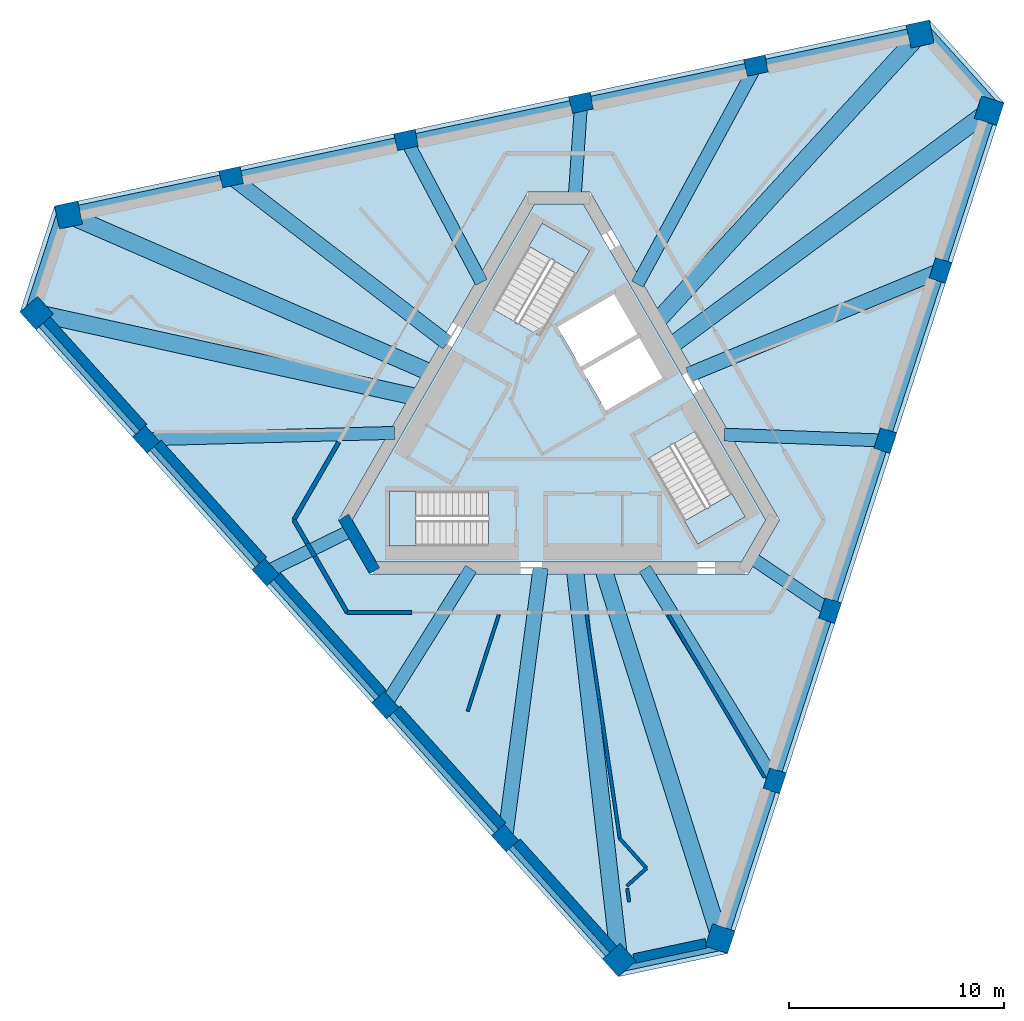
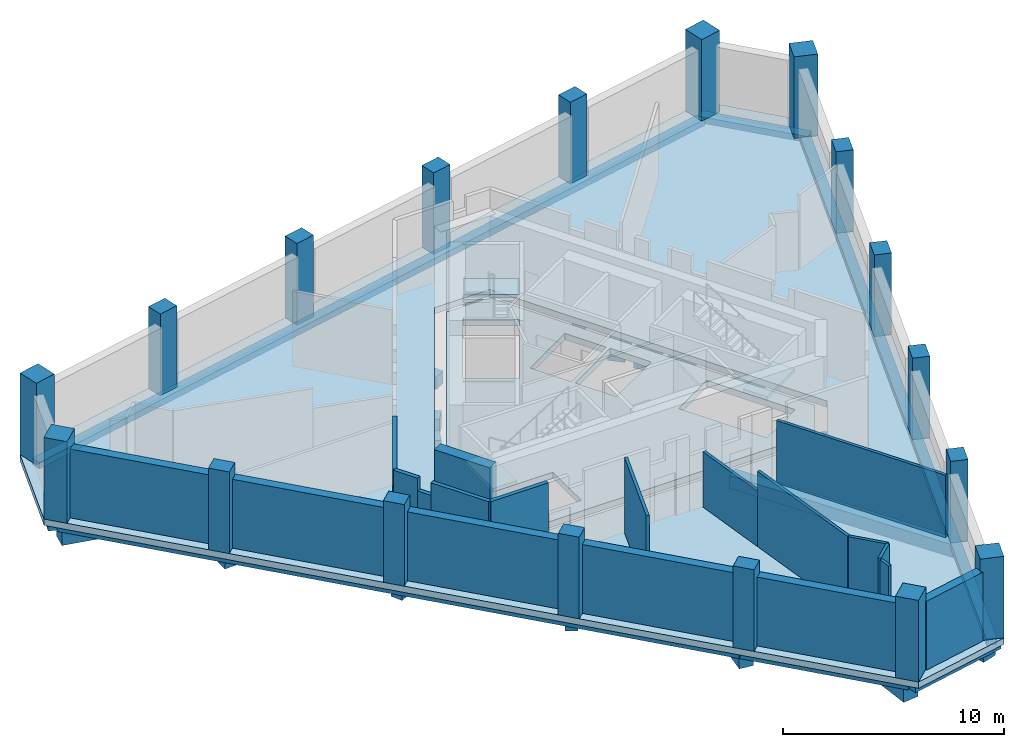
# One storey, part 1 of 5: 24 beams, 19 walls, 18 columns, 5 slabs, 3 elements without a shape of their own.
"""IFC4 building model written with IfcOpenShell, lengths in metres."""

from ifc_helpers import new_model, si_unit, direction, frame, frame_2d, origin, origin_2d, place, context, subcontext, project, spatial, polyline, rectangle, outline, extrude, material, layer, layer_set, material_profile, profile_set, type_object, element, aggregate, save


model = new_model("IFC4")

# Units and contexts
model_context = context("Model", 3, precision=1e-05, world=origin(), true_north=direction((0.0, 1.0)))
body_context = subcontext(model_context, "Body", "Model", "MODEL_VIEW")
ifc_project = project(units=[si_unit("LENGTHUNIT", "METRE"), si_unit("AREAUNIT", "SQUARE_METRE"), si_unit("VOLUMEUNIT", "CUBIC_METRE"), si_unit("PLANEANGLEUNIT", "RADIAN"), si_unit("MASSUNIT", "GRAM", prefix="KILO")], contexts=[model_context])

# Site, building, storey
site_placement = place(None, origin())
site = spatial("IfcSite", under=ifc_project, at=site_placement, CompositionType="ELEMENT")
building_placement = place(site_placement, origin())
building = spatial("IfcBuilding", under=site, at=building_placement, Name="Tramontana Tower", CompositionType="ELEMENT")
storey_placement = place(building_placement, frame((0.0, 0.0, 365.89990234375)))
storey = spatial("IfcBuildingStorey", under=building, at=storey_placement, Name="L84", CompositionType="ELEMENT", Elevation=365.89990234375)

# Columns
ifc_material_1 = material(Name="Concrete 55 MPa", Category="concrete")
ifc_material_profile_1 = material_profile(ifc_material_1, rectangle(XDim=1.10009765625, YDim=1.10009765625, at=origin_2d()), Name="Mega column 1100X1100 55 MPa")
ifc_profile_set_1 = profile_set([ifc_material_profile_1], Name="Concrete 55 MPa")
column_type_1 = type_object("IfcColumnType", Name="Mega column 1100X1100 55 MPa", PredefinedType="COLUMN", material=ifc_profile_set_1)
for number, where, z_axis, x_axis, name in (
    (1, (-24.278076171875, 5.368408203125, 0.0), (0.0, 0.0, 1.0), (0.669130606359, -0.743144825477, 0.0), "Mega column C8K1 L84"),
    (2, (2.80126953125, -24.706298828125, 0.0), (0.0, 0.0, 1.0), (0.669130606359, -0.743144825477, 0.0), "Mega column C8K2 L84"),
    (3, (7.489990234375, -23.70947265625, 0.0), (0.0, 0.0, 1.0), (0.309016994375, 0.951056516295, 0.0), "Mega column C8K3 L84"),
    (4, (19.99560546875, 14.779052734375, 0.0), (0.0, 0.0, 1.0), (0.309016994375, 0.951056516295, 0.0), "Mega column C8K4 L84"),
    (5, (16.7880859375, 18.34130859375, 0.0), (0.0, 0.0, 1.0), (-0.978147600734, -0.207911690818, 0.0), "Mega column C8K5 L84"),
    (6, (-22.796875, 9.92724609375, 0.0), (0.0, 0.0, 1.0), (-0.978147600734, -0.207911690818, 0.0), "Mega column C8K6 L84"),
):
    element("IfcColumn", number, at=place(storey_placement, frame(where, z_axis=z_axis, x_axis=x_axis)), inside=storey, type_object=column_type_1, Name=name, PredefinedType="COLUMN", context=body_context, shape_type="SweptSolid", body=[
        extrude(rectangle(XDim=1.10009765625, YDim=1.10009765625, at=origin_2d()), origin(), (0.0, 0.0, 1.0), 4.5),
    ])
ifc_material_2 = material(Name="Concrete 55 MPa", Category="concrete")
ifc_material_profile_2 = material_profile(ifc_material_2, rectangle(XDim=1.0, YDim=0.800048828125, at=origin_2d()), Name="Pier column 1000X800 55 MPa")
ifc_profile_set_2 = profile_set([ifc_material_profile_2], Name="Concrete 55 MPa")
column_type_2 = type_object("IfcColumnType", Name="Pier column 1000X800 55 MPa", PredefinedType="COLUMN", material=ifc_profile_set_2)
for number, where, z_axis, x_axis, name in (
    (7, (-19.194580078125, -0.501708984375, 0.0), (0.0, 0.0, 1.0), (0.669130606359, -0.743144825477, 0.0), "Pier column C8F01 L84"),
    (8, (-13.63134765625, -6.68017578125, 0.0), (0.0, 0.0, 1.0), (0.669130606359, -0.743144825477, 0.0), "Pier column C8F02 L84"),
    (9, (-8.068359375, -12.8583984375, 0.0), (0.0, 0.0, 1.0), (0.669130606359, -0.743144825477, 0.0), "Pier column C8F03 L84"),
    (10, (-2.50537109375, -19.036865234375, 0.0), (0.0, 0.0, 1.0), (0.669130606359, -0.743144825477, 0.0), "Pier column C8F04 L84"),
    (11, (10.03173828125, -16.3720703125, 0.0), (0.0, 0.0, 1.0), (0.309016994375, 0.951056516295, 0.0), "Pier column C8F05 L84"),
    (12, (12.600830078125, -8.465087890625, 0.0), (0.0, 0.0, 1.0), (0.309016994375, 0.951056516295, 0.0), "Pier column C8F06 L84"),
    (13, (15.169921875, -0.55810546875, 0.0), (0.0, 0.0, 1.0), (0.309016994375, 0.951056516295, 0.0), "Pier column C8F07 L84"),
    (14, (17.739013671875, 7.348876953125, 0.0), (0.0, 0.0, 1.0), (0.309016994375, 0.951056516295, 0.0), "Pier column C8F08 L84"),
    (15, (9.162841796875, 16.873779296875, 0.0), (0.0, 0.0, 1.0), (-0.978147600734, -0.207911690818, 0.0), "Pier column C8F09 L84"),
    (16, (1.030517578125, 15.145263671875, 0.0), (0.0, 0.0, 1.0), (-0.978147600734, -0.207911690818, 0.0), "Pier column C8F10 L84"),
    (17, (-7.1015625, 13.416748046875, 0.0), (0.0, 0.0, 1.0), (-0.978147600734, -0.207911690818, 0.0), "Pier column C8F11 L84"),
    (18, (-15.233642578125, 11.688232421875, 0.0), (0.0, 0.0, 1.0), (-0.978147600734, -0.207911690818, 0.0), "Pier column C8F12 L84"),
):
    element("IfcColumn", number, at=place(storey_placement, frame(where, z_axis=z_axis, x_axis=x_axis)), inside=storey, type_object=column_type_2, Name=name, PredefinedType="COLUMN", context=body_context, shape_type="SweptSolid", body=[
        extrude(rectangle(XDim=1.0, YDim=0.800048828125, at=origin_2d()), origin(), (0.0, 0.0, 1.0), 4.5),
    ])

# Beams
ifc_material_3 = material(Name="Concrete 40 MPa", Category="concrete")
ifc_material_profile_3 = material_profile(ifc_material_3, rectangle(XDim=0.5, YDim=0.35009765625, at=origin_2d()), Name="RC EDGE BEAM 500X350 40 MPa")
ifc_profile_set_3 = profile_set([ifc_material_profile_3], Name="Concrete 40 MPa")
beam_type_1 = type_object("IfcBeamType", Name="RC EDGE BEAM 500X350 40 MPa", PredefinedType="SPANDREL", material=ifc_profile_set_3)
for number, where, z_axis, x_axis, name in (
    (19, (-24.352294921875, 5.301513671875, -0.52490234375), (0.669126699639, -0.743148343086, 0.0), (0.743148343086, 0.669126699639, 0.0), "Spandrel beam S0 L84"),
    (20, (7.5849609375, -23.740478515625, -0.52490234375), (0.309021003975, 0.951055213488, 0.0), (-0.951055213488, 0.309021003975, 0.0), "Spandrel beam S1 L84"),
):
    element("IfcBeam", number, at=place(storey_placement, frame(where, z_axis=z_axis, x_axis=x_axis)), inside=storey, type_object=beam_type_1, Name=name, PredefinedType="SPANDREL", context=body_context, shape_type="SweptSolid", body=[
        extrude(rectangle(XDim=0.5, YDim=0.35009765625, at=origin_2d()), origin(), (0.0, 0.0, 1.0), 40.46923828125),
    ])
beam_1_placement = place(storey_placement, frame((16.767333984375, 18.439208984375, -0.52490234375), z_axis=(-0.978146276815, -0.20791791927, 0.0), x_axis=(0.20791791927, -0.978146276815, 0.0)))
element("IfcBeam", 21, at=beam_1_placement, inside=storey, type_object=beam_type_1, Name="Spandrel beam S2 L84", PredefinedType="SPANDREL", context=body_context, shape_type="SweptSolid", body=[
    extrude(rectangle(XDim=0.5, YDim=0.35009765625, at=origin_2d()), origin(), (0.0, 0.0, 1.0), 40.469482421875),
])
beam_2_placement = place(storey_placement, frame((-23.02099609375, 10.2119140625, -0.52490234375), z_axis=(-0.309015953557, -0.951056854477, 0.0), x_axis=(0.951056854477, -0.309015953557, 0.0)))
element("IfcBeam", 22, at=beam_2_placement, inside=storey, type_object=beam_type_1, Name="Spandrel beam K0 L84", PredefinedType="SPANDREL", context=body_context, shape_type="SweptSolid", body=[
    extrude(rectangle(XDim=0.5, YDim=0.35009765625, at=origin_2d()), origin(), (0.0, 0.0, 1.0), 5.1962890625),
])
for number, where, z_axis, x_axis, name in (
    (23, (2.6669921875, -25.042724609375, -0.52490234375), (0.97814762463, 0.207911578393, 0.0), (-0.207911578393, 0.97814762463, 0.0), "Spandrel beam K1 L84"),
    (24, (20.354248046875, 14.8310546875, -0.52490234375), (-0.66916199362, 0.74311656306, 0.0), (-0.74311656306, -0.66916199362, 0.0), "Spandrel beam K2 L84"),
):
    element("IfcBeam", number, at=place(storey_placement, frame(where, z_axis=z_axis, x_axis=x_axis)), inside=storey, type_object=beam_type_1, Name=name, PredefinedType="SPANDREL", context=body_context, shape_type="SweptSolid", body=[
        extrude(rectangle(XDim=0.5, YDim=0.35009765625, at=origin_2d()), origin(), (0.0, 0.0, 1.0), 5.196044921875),
    ])
ifc_material_4 = material(Name="Concrete 40 MPa", Category="concrete")
ifc_material_profile_4 = material_profile(ifc_material_4, rectangle(XDim=0.60009765625, YDim=0.699951171875, at=origin_2d()), Name="RC GIRDER 600X700 40 MPa")
ifc_profile_set_4 = profile_set([ifc_material_profile_4], Name="Concrete 40 MPa")
beam_type_2 = type_object("IfcBeamType", Name="RC GIRDER 600X700 40 MPa", PredefinedType="BEAM", material=ifc_profile_set_4)
beam_3_placement = place(storey_placement, frame((-19.194580078125, -0.501708984375, -0.699951171875), z_axis=(0.999658682192, 0.026125066864, 0.0), x_axis=(-0.026125066864, 0.999658682192, 0.0)))
element("IfcBeam", 25, at=beam_3_placement, inside=storey, type_object=beam_type_2, Name="Radial girder C8F01 L84", PredefinedType="BEAM", context=body_context, shape_type="SweptSolid", body=[
    extrude(rectangle(XDim=0.60009765625, YDim=0.699951171875, at=origin_2d()), origin(), (0.0, 0.0, 1.0), 11.559814453125),
])
beam_4_placement = place(storey_placement, frame((-13.63134765625, -6.68017578125, -0.699951171875), z_axis=(0.897959158445, 0.440078799496, 0.0), x_axis=(-0.440078799496, 0.897959158445, 0.0)))
element("IfcBeam", 26, at=beam_4_placement, inside=storey, type_object=beam_type_2, Name="Radial girder C8F02 L84", PredefinedType="BEAM", context=body_context, shape_type="SweptSolid", body=[
    extrude(rectangle(XDim=0.60009765625, YDim=0.699951171875, at=origin_2d()), origin(), (0.0, 0.0, 1.0), 4.4296875),
])
beam_5_placement = place(storey_placement, frame((-8.068359375, -12.8583984375, -0.699951171875), z_axis=(0.531504835363, 0.847055257929, 0.0), x_axis=(-0.847055257929, 0.531504835363, 0.0)))
element("IfcBeam", 27, at=beam_5_placement, inside=storey, type_object=beam_type_2, Name="Radial girder C8F03 L84", PredefinedType="BEAM", context=body_context, shape_type="SweptSolid", body=[
    extrude(rectangle(XDim=0.60009765625, YDim=0.699951171875, at=origin_2d()), origin(), (0.0, 0.0, 1.0), 7.486328125),
])
beam_6_placement = place(storey_placement, frame((10.03173828125, -16.3720703125, -0.699951171875), z_axis=(-0.522458548495, 0.852664685034, 0.0), x_axis=(-0.852664685034, -0.522458548495, 0.0)))
element("IfcBeam", 28, at=beam_6_placement, inside=storey, type_object=beam_type_2, Name="Radial girder C8F05 L84", PredefinedType="BEAM", context=body_context, shape_type="SweptSolid", body=[
    extrude(rectangle(XDim=0.60009765625, YDim=0.699951171875, at=origin_2d()), origin(), (0.0, 0.0, 1.0), 11.559814453125),
])
beam_7_placement = place(storey_placement, frame((12.600830078125, -8.465087890625, -0.699951171875), z_axis=(-0.830077902204, 0.557647448011, 0.0), x_axis=(-0.557647448011, -0.830077902204, 0.0)))
element("IfcBeam", 29, at=beam_7_placement, inside=storey, type_object=beam_type_2, Name="Radial girder C8F06 L84", PredefinedType="BEAM", context=body_context, shape_type="SweptSolid", body=[
    extrude(rectangle(XDim=0.60009765625, YDim=0.699951171875, at=origin_2d()), origin(), (0.0, 0.0, 1.0), 4.4296875),
])
beam_8_placement = place(storey_placement, frame((15.169921875, -0.55810546875, -0.699951171875), z_axis=(-0.999324360611, 0.036753534393, 0.0), x_axis=(-0.036753534393, -0.999324360611, 0.0)))
element("IfcBeam", 30, at=beam_8_placement, inside=storey, type_object=beam_type_2, Name="Radial girder C8F07 L84", PredefinedType="BEAM", context=body_context, shape_type="SweptSolid", body=[
    extrude(rectangle(XDim=0.60009765625, YDim=0.699951171875, at=origin_2d()), origin(), (0.0, 0.0, 1.0), 7.486328125),
])
beam_9_placement = place(storey_placement, frame((9.16259765625, 16.873779296875, -0.699951171875), z_axis=(-0.477185075818, -0.87880282397, 0.0), x_axis=(0.87880282397, -0.477185075818, 0.0)))
element("IfcBeam", 31, at=beam_9_placement, inside=storey, type_object=beam_type_2, Name="Radial girder C8F09 L84", PredefinedType="BEAM", context=body_context, shape_type="SweptSolid", body=[
    extrude(rectangle(XDim=0.60009765625, YDim=0.699951171875, at=origin_2d()), origin(), (0.0, 0.0, 1.0), 11.559814453125),
])
beam_10_placement = place(storey_placement, frame((1.030517578125, 15.145263671875, -0.699951171875), z_axis=(-0.067897965918, -0.997692270304, 0.0), x_axis=(0.997692270304, -0.067897965918, 0.0)))
element("IfcBeam", 32, at=beam_10_placement, inside=storey, type_object=beam_type_2, Name="Radial girder C8F10 L84", PredefinedType="BEAM", context=body_context, shape_type="SweptSolid", body=[
    extrude(rectangle(XDim=0.60009765625, YDim=0.699951171875, at=origin_2d()), origin(), (0.0, 0.0, 1.0), 4.429931640625),
])
beam_11_placement = place(storey_placement, frame((-7.1015625, 13.416748046875, -0.699951171875), z_axis=(0.467808305742, -0.883829954843, 0.0), x_axis=(0.883829954843, 0.467808305742, 0.0)))
element("IfcBeam", 33, at=beam_11_placement, inside=storey, type_object=beam_type_2, Name="Radial girder C8F11 L84", PredefinedType="BEAM", context=body_context, shape_type="SweptSolid", body=[
    extrude(rectangle(XDim=0.60009765625, YDim=0.699951171875, at=origin_2d()), origin(), (0.0, 0.0, 1.0), 7.486328125),
])
ifc_material_5 = material(Name="Concrete 40 MPa", Category="concrete")
ifc_material_profile_5 = material_profile(ifc_material_5, rectangle(XDim=0.699951171875, YDim=0.89990234375, at=origin_2d()), Name="RC GIRDER 700X900 40 MPa")
ifc_profile_set_5 = profile_set([ifc_material_profile_5], Name="Concrete 40 MPa")
beam_type_3 = type_object("IfcBeamType", Name="RC GIRDER 700X900 40 MPa", PredefinedType="BEAM", material=ifc_profile_set_5)
beam_12_placement = place(storey_placement, frame((-2.50537109375, -19.036865234375, -0.7998046875), z_axis=(0.130493398369, 0.991449178214, 0.0), x_axis=(-0.991449178214, 0.130493398369, 0.0)))
element("IfcBeam", 34, at=beam_12_placement, inside=storey, type_object=beam_type_3, Name="Radial girder C8F04 L84", PredefinedType="BEAM", context=body_context, shape_type="SweptSolid", body=[
    extrude(rectangle(XDim=0.699951171875, YDim=0.89990234375, at=origin_2d()), origin(), (0.0, 0.0, 1.0), 12.66796875),
])
beam_13_placement = place(storey_placement, frame((17.739013671875, 7.348876953125, -0.7998046875), z_axis=(-0.923857326556, -0.382737037885, 0.0), x_axis=(0.382737037885, -0.923857326556, 0.0)))
element("IfcBeam", 35, at=beam_13_placement, inside=storey, type_object=beam_type_3, Name="Radial girder C8F08 L84", PredefinedType="BEAM", context=body_context, shape_type="SweptSolid", body=[
    extrude(rectangle(XDim=0.699951171875, YDim=0.89990234375, at=origin_2d()), origin(), (0.0, 0.0, 1.0), 12.667724609375),
])
beam_14_placement = place(storey_placement, frame((-15.23388671875, 11.68798828125, -0.7998046875), z_axis=(0.793386383047, -0.608718364431, 0.0), x_axis=(0.608718364431, 0.793386383047, 0.0)))
element("IfcBeam", 36, at=beam_14_placement, inside=storey, type_object=beam_type_3, Name="Radial girder C8F12 L84", PredefinedType="BEAM", context=body_context, shape_type="SweptSolid", body=[
    extrude(rectangle(XDim=0.699951171875, YDim=0.89990234375, at=origin_2d()), origin(), (0.0, 0.0, 1.0), 12.66796875),
])
ifc_material_6 = material(Name="Concrete 40 MPa", Category="concrete")
ifc_material_profile_6 = material_profile(ifc_material_6, rectangle(XDim=0.800048828125, YDim=1.10009765625, at=origin_2d()), Name="RC GIRDER 800X1100 40 MPa")
ifc_profile_set_6 = profile_set([ifc_material_profile_6], Name="Concrete 40 MPa")
beam_type_4 = type_object("IfcBeamType", Name="RC GIRDER 800X1100 40 MPa", PredefinedType="BEAM", material=ifc_profile_set_6)
beam_15_placement = place(storey_placement, frame((-24.278076171875, 5.368408203125, -0.89990234375), z_axis=(0.976414256624, -0.215905533653, 0.0), x_axis=(0.215905533653, 0.976414256624, 0.0)))
element("IfcBeam", 37, at=beam_15_placement, inside=storey, type_object=beam_type_4, Name="Radial girder C8K1 L84", PredefinedType="BEAM", context=body_context, shape_type="SweptSolid", body=[
    extrude(rectangle(XDim=0.800048828125, YDim=1.10009765625, at=origin_2d()), origin(), (0.0, 0.0, 1.0), 18.060791015625),
])
beam_16_placement = place(storey_placement, frame((2.80126953125, -24.706298828125, -0.89990234375), z_axis=(-0.112660068087, 0.993633588934, 0.0), x_axis=(-0.993633588934, -0.112660068087, 0.0)))
element("IfcBeam", 38, at=beam_16_placement, inside=storey, type_object=beam_type_4, Name="Radial girder C8K2 L84", PredefinedType="BEAM", context=body_context, shape_type="SweptSolid", body=[
    extrude(rectangle(XDim=0.800048828125, YDim=1.10009765625, at=origin_2d()), origin(), (0.0, 0.0, 1.0), 18.34619140625),
])
beam_17_placement = place(storey_placement, frame((7.489990234375, -23.709716796875, -0.89990234375), z_axis=(-0.301228407795, 0.953552015538, 0.0), x_axis=(-0.953552015538, -0.301228407795, 0.0)))
element("IfcBeam", 39, at=beam_17_placement, inside=storey, type_object=beam_type_4, Name="Radial girder C8K3 L84", PredefinedType="BEAM", context=body_context, shape_type="SweptSolid", body=[
    extrude(rectangle(XDim=0.800048828125, YDim=1.10009765625, at=origin_2d()), origin(), (0.0, 0.0, 1.0), 18.060791015625),
])
beam_18_placement = place(storey_placement, frame((19.99560546875, 14.779052734375, -0.89990234375), z_axis=(-0.804178630494, -0.594387693562, 0.0), x_axis=(0.594387693562, -0.804178630494, 0.0)))
element("IfcBeam", 40, at=beam_18_placement, inside=storey, type_object=beam_type_4, Name="Radial girder C8K4 L84", PredefinedType="BEAM", context=body_context, shape_type="SweptSolid", body=[
    extrude(rectangle(XDim=0.800048828125, YDim=1.10009765625, at=origin_2d()), origin(), (0.0, 0.0, 1.0), 18.34619140625),
])
beam_19_placement = place(storey_placement, frame((16.7880859375, 18.34130859375, -0.89990234375), z_axis=(-0.675183941423, -0.737649405371, 0.0), x_axis=(0.737649405371, -0.675183941423, 0.0)))
element("IfcBeam", 41, at=beam_19_placement, inside=storey, type_object=beam_type_4, Name="Radial girder C8K5 L84", PredefinedType="BEAM", context=body_context, shape_type="SweptSolid", body=[
    extrude(rectangle(XDim=0.800048828125, YDim=1.10009765625, at=origin_2d()), origin(), (0.0, 0.0, 1.0), 18.060791015625),
])
beam_20_placement = place(storey_placement, frame((-22.796875, 9.92724609375, -0.89990234375), z_axis=(0.916837391717, -0.399260813441, 0.0), x_axis=(0.399260813441, 0.916837391717, 0.0)))
element("IfcBeam", 42, at=beam_20_placement, inside=storey, type_object=beam_type_4, Name="Radial girder C8K6 L84", PredefinedType="BEAM", context=body_context, shape_type="SweptSolid", body=[
    extrude(rectangle(XDim=0.800048828125, YDim=1.10009765625, at=origin_2d()), origin(), (0.0, 0.0, 1.0), 18.34619140625),
])

# Slabs
ifc_material_7 = material(Name="Concrete 40 MPa", Category="concrete")
ifc_layer_1 = layer(ifc_material_7, 0.35009765625)
ifc_layer_set_1 = layer_set([ifc_layer_1], Name="PT FLAT SLAB 350 40 MPa")
slab_type_1 = type_object("IfcSlabType", Name="PT FLAT SLAB 350 40 MPa", PredefinedType="FLOOR", material=ifc_layer_set_1)
slab_1_placement = place(storey_placement, frame((0.0, 0.0, -0.349853515625)))
element("IfcSlab", 43, at=slab_1_placement, inside=storey, type_object=slab_type_1, Name="Floor slab L84", PredefinedType="FLOOR", context=body_context, shape_type="SweptSolid", body=[
    extrude(outline(polyline([(20.688720703125, 15.132080078125), (7.843017578125, -24.402587890625), (2.760498046875, -25.48291015625), (-25.0546875, 5.408935546875), (-23.44921875, 10.350830078125), (17.211669921875, 18.99365234375), (20.688720703125, 15.132080078125)]), holes=[polyline([(-10.248046875, -4.25), (-8.8046875, -6.75), (8.8046875, -6.75), (10.248046875, -4.25), (1.443359375, 11.0), (-1.443359375, 11.0), (-10.248046875, -4.25)])]), origin(), (0.0, 0.0, 1.0), 0.349853515625),
])
slab_2_placement = place(storey_placement, frame((0.0, 0.0, -0.349853515625)))
element("IfcSlab", 44, at=slab_2_placement, inside=storey, type_object=slab_type_1, Name="Core floor slab L84", PredefinedType="FLOOR", context=body_context, shape_type="SweptSolid", body=[
    extrude(outline(polyline([(9.61279296875, -4.25), (8.487060546875, -6.199951171875), (-8.487060546875, -6.199951171875), (-9.61279296875, -4.25), (-1.125732421875, 10.449951171875), (1.125732421875, 10.449951171875), (9.61279296875, -4.25)]), holes=[polyline([(6.35986328125, -0.115478515625), (4.151611328125, -1.390625), (6.451416015625, -5.374267578125), (8.659912109375, -4.099365234375), (6.35986328125, -0.115478515625)]), polyline([(1.101806640625, 2.69140625), (2.177001953125, 0.82958984375), (4.90478515625, 2.404541015625), (3.829833984375, 4.2666015625), (1.101806640625, 2.69140625)]), polyline([(2.65478515625, 6.3017578125), (-0.072998046875, 4.726806640625), (1.001953125, 2.86474609375), (3.729736328125, 4.439697265625), (2.65478515625, 6.3017578125)]), polyline([(-0.77978515625, 9.54931640625), (-3.079833984375, 5.565673828125), (-0.87158203125, 4.29052734375), (1.428466796875, 8.2744140625), (-0.77978515625, 9.54931640625)]), polyline([(-3.280029296875, -5.449951171875), (-3.280029296875, -2.89990234375), (-7.8798828125, -2.89990234375), (-7.8798828125, -5.449951171875), (-3.280029296875, -5.449951171875)])]), origin(), (0.0, 0.0, 1.0), 0.349853515625),
])

# Stair, slab
ifc_material_8 = material(Name="Concrete 40 MPa", Category="concrete")
stair_type = type_object("IfcStairType", Name="EXIT STAIR 26 RISERS", PredefinedType="HALF_TURN_STAIR", material=ifc_material_8)
stair_1_placement = place(storey_placement, origin())
stair_1 = element("IfcStair", 45, at=stair_1_placement, inside=storey, type_object=stair_type, Name="L84 Exit stair ST1", PredefinedType="HALF_TURN_STAIR")
ifc_material_9 = material(Name="Concrete 40 MPa", Category="concrete")
ifc_layer_2 = layer(ifc_material_9, 0.199951171875)
ifc_layer_set_2 = layer_set([ifc_layer_2], Name="STAIR LANDING 200")
slab_type_2 = type_object("IfcSlabType", Name="STAIR LANDING 200", PredefinedType="LANDING", material=ifc_layer_set_2)
slab_3_placement = place(storey_placement, frame((0.0, 0.0, 2.050048828125)))
slab_3 = element("IfcSlab", 46, at=slab_3_placement, type_object=slab_type_2, Name="ST1 landing 1", PredefinedType="LANDING", context=body_context, shape_type="SweptSolid", body=[
    extrude(outline(polyline([(0.80859375, 7.200439453125), (1.428466796875, 8.274169921875), (-0.77978515625, 9.54931640625), (-1.39990234375, 8.475341796875), (0.80859375, 7.200439453125)])), origin(), (0.0, 0.0, 1.0), 0.199951171875),
])
aggregate(stair_1, [slab_3])

stair_2_placement = place(storey_placement, origin())
stair_2 = element("IfcStair", 47, at=stair_2_placement, inside=storey, type_object=stair_type, Name="L84 Exit stair ST2", PredefinedType="HALF_TURN_STAIR")
slab_4_placement = place(storey_placement, frame((0.0, 0.0, 2.050048828125)))
slab_4 = element("IfcSlab", 48, at=slab_4_placement, type_object=slab_type_2, Name="ST2 landing 1", PredefinedType="LANDING", context=body_context, shape_type="SweptSolid", body=[
    extrude(outline(polyline([(-6.639892578125, -2.89990234375), (-7.8798828125, -2.89990234375), (-7.8798828125, -5.449951171875), (-6.639892578125, -5.449951171875), (-6.639892578125, -2.89990234375)])), origin(), (0.0, 0.0, 1.0), 0.199951171875),
])
aggregate(stair_2, [slab_4])

stair_3_placement = place(storey_placement, origin())
stair_3 = element("IfcStair", 49, at=stair_3_placement, inside=storey, type_object=stair_type, Name="L84 Exit stair ST3", PredefinedType="HALF_TURN_STAIR")
slab_5_placement = place(storey_placement, frame((0.0, 0.0, 2.050048828125)))
slab_5 = element("IfcSlab", 50, at=slab_5_placement, type_object=slab_type_2, Name="ST3 landing 1", PredefinedType="LANDING", context=body_context, shape_type="SweptSolid", body=[
    extrude(outline(polyline([(5.83154296875, -4.30029296875), (6.451416015625, -5.374267578125), (8.659912109375, -4.099365234375), (8.039794921875, -3.025390625), (5.83154296875, -4.30029296875)])), origin(), (0.0, 0.0, 1.0), 0.199951171875),
])
aggregate(stair_3, [slab_5])

# Walls
ifc_material_10 = material(Name="Concrete 70 MPa", Category="concrete")
ifc_layer_3 = layer(ifc_material_10, 0.550048828125)
ifc_layer_set_3 = layer_set([ifc_layer_3], Name="Core wall 550 70 MPa")
wall_type_1 = type_object("IfcWallType", Name="Core wall 550 70 MPa", PredefinedType="SHEAR", material=ifc_layer_set_3)
wall_1_placement = place(storey_placement, frame((-10.009765625, -4.112548828125, 0.0), z_axis=(0.0, 0.0, 1.0), x_axis=(0.499995765644, -0.866027848477, 0.0)))
element("IfcWall", 51, at=wall_1_placement, inside=storey, type_object=wall_type_1, Name="Core wall C2 L84", PredefinedType="SHEAR", context=body_context, shape_type="SweptSolid", body=[
    extrude(rectangle(XDim=2.88671875, YDim=0.550048828125, at=frame_2d((1.443359375, 0.0))), origin(), (0.0, 0.0, 1.0), 4.5),
])
ifc_material_11 = material(Name="Blockwork", Category="masonry")
ifc_layer_4 = layer(ifc_material_11, 0.199951171875)
ifc_layer_set_4 = layer_set([ifc_layer_4], Name="ENTRY WALL 200")
wall_type_2 = type_object("IfcWallType", Name="ENTRY WALL 200", PredefinedType="SOLIDWALL", material=ifc_layer_set_4)
wall_2_placement = place(storey_placement, frame((-6.837646484375, -8.550048828125, 0.0), z_axis=(0.0, 0.0, 1.0), x_axis=(-1.0, 0.0, 0.0)))
element("IfcWall", 52, at=wall_2_placement, inside=storey, type_object=wall_type_2, Name="Wall ew1-10", PredefinedType="SOLIDWALL", context=body_context, shape_type="SweptSolid", body=[
    extrude(rectangle(XDim=3.006103515625, YDim=0.199951171875, at=frame_2d((1.5029296875, 0.0))), origin(), (0.0, 0.0, 1.0), 4.150146484375),
])
wall_3_placement = place(storey_placement, frame((-9.84375, -8.550048828125, 0.0), z_axis=(0.0, 0.0, 1.0), x_axis=(-0.500003959331, 0.866023117852, 0.0)))
element("IfcWall", 53, at=wall_3_placement, inside=storey, type_object=wall_type_2, Name="Wall ew2-0", PredefinedType="SOLIDWALL", context=body_context, shape_type="SweptSolid", body=[
    extrude(rectangle(XDim=3.0029296875, YDim=0.199951171875, at=frame_2d((1.50146484375, 0.0))), origin(), (0.0, 0.0, 1.0), 4.150146484375),
])
wall_4_placement = place(storey_placement, frame((-11.34521484375, -5.949462890625, 0.0), z_axis=(0.0, 0.0, 1.0), x_axis=(-0.499993523031, 0.866029143232, 0.0)))
element("IfcWall", 54, at=wall_4_placement, inside=storey, type_object=wall_type_2, Name="Wall ew2-1", PredefinedType="SOLIDWALL", context=body_context, shape_type="SweptSolid", body=[
    extrude(rectangle(XDim=0.70166015625, YDim=0.199951171875, at=frame_2d((0.350830078125, 0.0))), origin(), (0.0, 0.0, 1.0), 3.4501953125),
])
wall_5_placement = place(storey_placement, frame((-11.696044921875, -5.341796875, 0.0), z_axis=(0.0, 0.0, 1.0), x_axis=(-0.500013012896, 0.866017890655, 0.0)))
element("IfcWall", 55, at=wall_5_placement, inside=storey, type_object=wall_type_2, Name="Wall ew2-2", PredefinedType="SOLIDWALL", context=body_context, shape_type="SweptSolid", body=[
    extrude(rectangle(XDim=1.2607421875, YDim=0.199951171875, at=frame_2d((0.63037109375, 0.0))), origin(), (0.0, 0.0, 1.0), 4.150146484375),
])
wall_6_placement = place(storey_placement, frame((-12.326416015625, -4.25, 0.0), z_axis=(0.0, 0.0, 1.0), x_axis=(0.499982771656, 0.866035350345, 0.0)))
element("IfcWall", 56, at=wall_6_placement, inside=storey, type_object=wall_type_2, Name="Wall ew3-0", PredefinedType="SOLIDWALL", context=body_context, shape_type="SweptSolid", body=[
    extrude(rectangle(XDim=4.194580078125, YDim=0.199951171875, at=frame_2d((2.09716796875, 0.0))), origin(), (0.0, 0.0, 1.0), 4.150146484375),
])
ifc_material_12 = material(Name="Precast concrete 60 MPa", Category="concrete")
ifc_layer_5 = layer(ifc_material_12, 0.449951171875)
ifc_layer_set_5 = layer_set([ifc_layer_5], Name="Precast concrete 60 MPa, 450 mm")
wall_type_3 = type_object("IfcWallType", Name="EW1 Stone-faced precast wall 450", PredefinedType="SOLIDWALL", material=ifc_layer_set_5)
wall_7_placement = place(storey_placement, frame((-23.817138671875, 5.043212890625, 0.0), z_axis=(0.0, 0.0, 1.0), x_axis=(0.669137493687, -0.743138624041, 0.0)))
element("IfcWall", 57, at=wall_7_placement, inside=storey, type_object=wall_type_3, Name="Stone band wall L84 face 0s 1", PredefinedType="SOLIDWALL", context=body_context, shape_type="SweptSolid", body=[
    extrude(rectangle(XDim=6.7138671875, YDim=0.449951171875, at=frame_2d((3.35693359375, 0.0))), origin(), (0.0, 0.0, 1.0), 3.800048828125),
])
wall_8_placement = place(storey_placement, frame((-18.655517578125, -0.689208984375, 0.0), z_axis=(0.0, 0.0, 1.0), x_axis=(0.669117789535, -0.743156365598, 0.0)))
element("IfcWall", 58, at=wall_8_placement, inside=storey, type_object=wall_type_3, Name="Stone band wall L84 face 0s 2", PredefinedType="SOLIDWALL", context=body_context, shape_type="SweptSolid", body=[
    extrude(rectangle(XDim=7.313720703125, YDim=0.449951171875, at=frame_2d((3.65673828125, 0.0))), origin(), (0.0, 0.0, 1.0), 3.800048828125),
])
wall_9_placement = place(storey_placement, frame((-13.092529296875, -6.86767578125, 0.0), z_axis=(0.0, 0.0, 1.0), x_axis=(0.669136224502, -0.74313976684, 0.0)))
element("IfcWall", 59, at=wall_9_placement, inside=storey, type_object=wall_type_3, Name="Stone band wall L84 face 0s 3", PredefinedType="SOLIDWALL", context=body_context, shape_type="SweptSolid", body=[
    extrude(rectangle(XDim=7.31396484375, YDim=0.449951171875, at=frame_2d((3.656982421875, 0.0))), origin(), (0.0, 0.0, 1.0), 3.800048828125),
])
wall_10_placement = place(storey_placement, frame((-7.529541015625, -13.046142578125, 0.0), z_axis=(0.0, 0.0, 1.0), x_axis=(0.669152823362, -0.743124820597, 0.0)))
element("IfcWall", 60, at=wall_10_placement, inside=storey, type_object=wall_type_3, Name="Stone band wall L84 face 0s 4", PredefinedType="SOLIDWALL", context=body_context, shape_type="SweptSolid", body=[
    extrude(rectangle(XDim=7.313720703125, YDim=0.449951171875, at=frame_2d((3.65673828125, 0.0))), origin(), (0.0, 0.0, 1.0), 3.800048828125),
])
wall_11_placement = place(storey_placement, frame((-1.96630859375, -19.224365234375, 0.0), z_axis=(0.0, 0.0, 1.0), x_axis=(0.66911941145, -0.743154905266, 0.0)))
element("IfcWall", 61, at=wall_11_placement, inside=storey, type_object=wall_type_3, Name="Stone band wall L84 face 0s 5", PredefinedType="SOLIDWALL", context=body_context, shape_type="SweptSolid", body=[
    extrude(rectangle(XDim=6.7138671875, YDim=0.449951171875, at=frame_2d((3.35693359375, 0.0))), origin(), (0.0, 0.0, 1.0), 3.800048828125),
])
wall_12_placement = place(storey_placement, frame((3.4814453125, -24.6396484375, 0.0), z_axis=(0.0, 0.0, 1.0), x_axis=(0.978139158523, 0.207951404333, 0.0)))
element("IfcWall", 62, at=wall_12_placement, inside=storey, type_object=wall_type_3, Name="Stone band wall L84 face 1k 1", PredefinedType="SOLIDWALL", context=body_context, shape_type="SweptSolid", body=[
    extrude(rectangle(XDim=3.435302734375, YDim=0.449951171875, at=frame_2d((1.7177734375, 0.0))), origin(), (0.0, 0.0, 1.0), 3.800048828125),
])
ifc_material_13 = material(Name="Gypsum board partition")
ifc_layer_6 = layer(ifc_material_13, 0.14990234375)
ifc_layer_set_6 = layer_set([ifc_layer_6], Name="PARTITION 150")
wall_type_4 = type_object("IfcWallType", Name="PARTITION 150", PredefinedType="PARTITIONING", material=ifc_layer_set_6)
wall_13_placement = place(storey_placement, frame((-2.793212890625, -8.650146484375, 0.0), z_axis=(0.0, 0.0, 1.0), x_axis=(-0.307297266893, -0.951613571656, 0.0)))
element("IfcWall", 63, at=wall_13_placement, inside=storey, type_object=wall_type_4, Name="Wall fw-pw07", PredefinedType="PARTITIONING", context=body_context, shape_type="SweptSolid", body=[
    extrude(rectangle(XDim=4.72314453125, YDim=0.14990234375, at=frame_2d((2.361572265625, 0.0))), origin(), (0.0, 0.0, 1.0), 4.150146484375),
])
wall_14_placement = place(storey_placement, frame((1.283447265625, -8.650146484375, 0.0), z_axis=(0.0, 0.0, 1.0), x_axis=(0.146778002289, -0.98916945871, 0.0)))
element("IfcWall", 64, at=wall_14_placement, inside=storey, type_object=wall_type_4, Name="Wall fw-pw08-0", PredefinedType="PARTITIONING", context=body_context, shape_type="SweptSolid", body=[
    extrude(rectangle(XDim=3.9736328125, YDim=0.14990234375, at=frame_2d((1.98681640625, 0.0))), origin(), (0.0, 0.0, 1.0), 3.050048828125),
])
wall_15_placement = place(storey_placement, frame((1.86669921875, -12.580810546875, 0.0), z_axis=(0.0, 0.0, 1.0), x_axis=(0.146760871061, -0.989172000577, 0.0)))
element("IfcWall", 65, at=wall_15_placement, inside=storey, type_object=wall_type_4, Name="Wall fw-pw08-1", PredefinedType="PARTITIONING", context=body_context, shape_type="SweptSolid", body=[
    extrude(rectangle(XDim=6.5458984375, YDim=0.14990234375, at=frame_2d((3.27294921875, 0.0))), origin(), (0.0, 0.0, 1.0), 4.150146484375),
])
wall_16_placement = place(storey_placement, frame((2.827880859375, -19.056884765625, 0.0), z_axis=(0.0, 0.0, 1.0), x_axis=(0.66910257544, -0.743170063673, 0.0)))
element("IfcWall", 66, at=wall_16_placement, inside=storey, type_object=wall_type_4, Name="Wall fw-pw09", PredefinedType="PARTITIONING", context=body_context, shape_type="SweptSolid", body=[
    extrude(rectangle(XDim=1.859130859375, YDim=0.14990234375, at=frame_2d((0.9296875, 0.0))), origin(), (0.0, 0.0, 1.0), 4.150146484375),
])
wall_17_placement = place(storey_placement, frame((3.172607421875, -21.382568359375, 0.0), z_axis=(0.0, 0.0, 1.0), x_axis=(0.146986678694, -0.989138471745, 0.0)))
element("IfcWall", 67, at=wall_17_placement, inside=storey, type_object=wall_type_4, Name="Wall fw-pw10", PredefinedType="PARTITIONING", context=body_context, shape_type="SweptSolid", body=[
    extrude(rectangle(XDim=0.626220703125, YDim=0.14990234375, at=frame_2d((0.31298828125, 0.0))), origin(), (0.0, 0.0, 1.0), 4.150146484375),
])
wall_18_placement = place(storey_placement, frame((4.07177734375, -20.4384765625, 0.0), z_axis=(0.0, 0.0, 1.0), x_axis=(-0.74317594648, -0.669096041367, 0.0)))
element("IfcWall", 68, at=wall_18_placement, inside=storey, type_object=wall_type_4, Name="Wall fw-pw11", PredefinedType="PARTITIONING", context=body_context, shape_type="SweptSolid", body=[
    extrude(rectangle(XDim=1.232666015625, YDim=0.14990234375, at=frame_2d((0.6162109375, 0.0))), origin(), (0.0, 0.0, 1.0), 4.150146484375),
])
wall_19_placement = place(storey_placement, frame((5.09716796875, -8.650146484375, 0.0), z_axis=(0.0, 0.0, 1.0), x_axis=(0.507661360347, -0.861556697618, 0.0)))
element("IfcWall", 69, at=wall_19_placement, inside=storey, type_object=wall_type_4, Name="Wall fw-pw12-0", PredefinedType="PARTITIONING", context=body_context, shape_type="SweptSolid", body=[
    extrude(rectangle(XDim=8.783447265625, YDim=0.14990234375, at=frame_2d((4.3916015625, 0.0))), origin(), (0.0, 0.0, 1.0), 3.4501953125),
])

save(model, "model.ifc")
